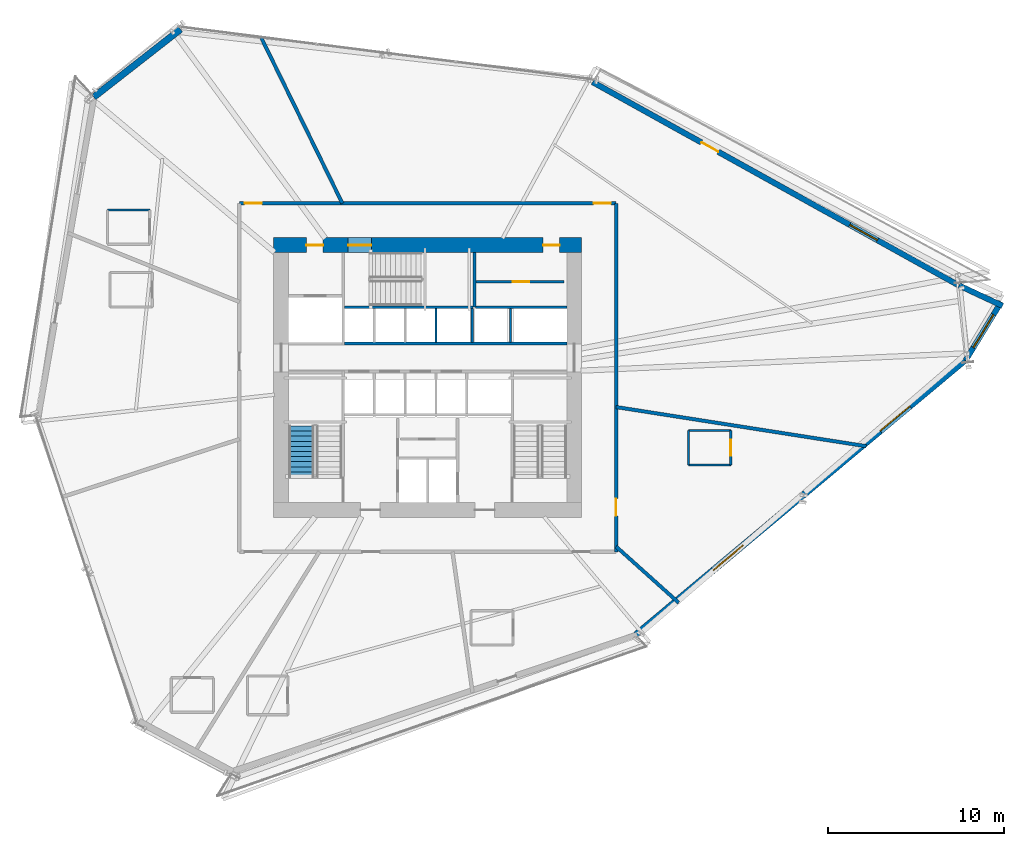
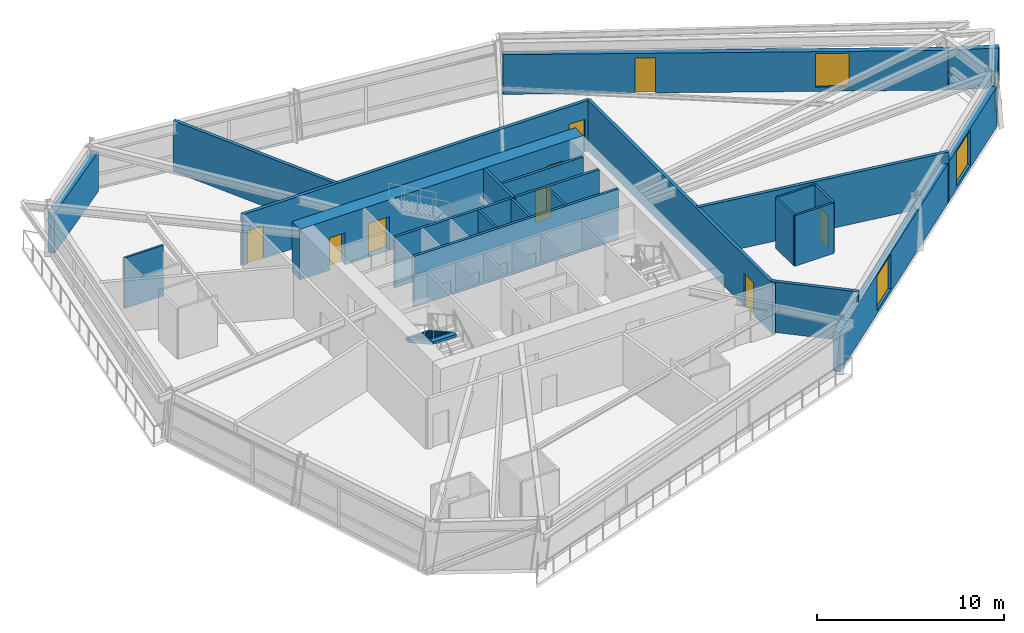
# One storey, part 17 of 22: 24 walls, 9 doors, 4 windows, 1 stair flight, 13 openings, 1 element without a shape of its own.
"""IFC4 building model written with IfcOpenShell, lengths in metres."""

from ifc_helpers import new_model, si_unit, direction, frame, frame_2d, origin, place, context, subcontext, project, spatial, polyline, rectangle, outline, extrude, source, transform, mapped, material, layer, layer_set, type_object, type_shapes, element, fill, aggregate, save


model = new_model("IFC4")

# Units and contexts
model_context = context("Model", 3, precision=1e-05, world=origin(), true_north=direction((0.0, 1.0)))
body_context = subcontext(model_context, "Body", "Model", "MODEL_VIEW")
ifc_project = project(units=[si_unit("LENGTHUNIT", "METRE"), si_unit("AREAUNIT", "SQUARE_METRE"), si_unit("VOLUMEUNIT", "CUBIC_METRE"), si_unit("PLANEANGLEUNIT", "RADIAN"), si_unit("MASSUNIT", "GRAM", prefix="KILO")], contexts=[model_context])

# Site, building, storey
site_placement = place(None, origin())
site = spatial("IfcSite", under=ifc_project, at=site_placement, CompositionType="ELEMENT")
building_placement = place(site_placement, origin())
building = spatial("IfcBuilding", under=site, at=building_placement, Name="Olszyna Solenne Hotel", CompositionType="ELEMENT")
storey_placement = place(building_placement, frame((0.0, 0.0, 57.699951171875)))
storey = spatial("IfcBuildingStorey", under=building, at=storey_placement, Name="L14", CompositionType="ELEMENT", Elevation=57.699951171875)

# Wall, openings, doors
ifc_material_1 = material(Name="Concrete C60/75", Category="concrete")
ifc_layer_1 = layer(ifc_material_1, 0.85009765625, Name="Concrete C60/75")
ifc_layer_set_1 = layer_set([ifc_layer_1], Name="Concrete C60/75")
wall_type_1 = type_object("IfcWallType", Name="WL-CR850", PredefinedType="SHEAR", material=ifc_layer_set_1)
wall_1_placement = place(storey_placement, frame((29.25, 34.125, 0.0), z_axis=(0.0, 0.0, 1.0), x_axis=(1.0, 0.0, 0.0)))
wall_1 = element("IfcWall", 1, at=wall_1_placement, inside=storey, type_object=wall_type_1, Name="Core shear wall WL-CR850 CRW-L14-N", PredefinedType="SHEAR", context=body_context, shape_type="SweptSolid", body=[
    extrude(rectangle(XDim=17.5, YDim=0.85009765625, at=frame_2d((8.75, 0.0))), origin(), (0.0, 0.0, 1.0), 3.300048828125),
])
opening_1_placement = place(wall_1_placement, frame((1.85009765625, 0.0, 0.0)))
opening_1 = element("IfcOpeningElement", 2, at=opening_1_placement, cuts=wall_1, Name="Opening SVD-L14-01", PredefinedType="OPENING", context=body_context, shape_type="SweptSolid", body=[
    extrude(rectangle(XDim=0.949951171875, YDim=2.10009765625, at=frame_2d((0.47509765625, 1.050048828125))), frame((0.0, 0.43505859375, 0.0), z_axis=(0.0, -1.0, 0.0), x_axis=(1.0, 0.0, 0.0)), (0.0, 0.0, 1.0), 0.8701171875),
])
opening_2_placement = place(wall_1_placement, frame((4.22998046875, 0.0, 0.0)))
opening_2 = element("IfcOpeningElement", 3, at=opening_2_placement, cuts=wall_1, Name="Opening STD-L14-03", PredefinedType="OPENING", context=body_context, shape_type="SweptSolid", body=[
    extrude(rectangle(XDim=1.320068359375, YDim=2.199951171875, at=frame_2d((0.66015625, 1.10009765625))), frame((0.0, 0.43505859375, 0.0), z_axis=(0.0, -1.0, 0.0), x_axis=(1.0, 0.0, 0.0)), (0.0, 0.0, 1.0), 0.8701171875),
])
opening_3_placement = place(wall_1_placement, frame((15.300048828125, 0.0, 0.0)))
opening_3 = element("IfcOpeningElement", 4, at=opening_3_placement, cuts=wall_1, Name="Opening SVD-L14-BN", PredefinedType="OPENING", context=body_context, shape_type="SweptSolid", body=[
    extrude(rectangle(XDim=0.949951171875, YDim=2.10009765625, at=frame_2d((0.47509765625, 1.050048828125))), frame((0.0, 0.43505859375, 0.0), z_axis=(0.0, -1.0, 0.0), x_axis=(1.0, 0.0, 0.0)), (0.0, 0.0, 1.0), 0.8701171875),
])
ifc_material_2 = material(Name="Steel S355J2", Category="steel")
door_type_1 = type_object("IfcDoorType", Name="DR-ST1", OperationType="NOTDEFINED", PredefinedType="DOOR", material=ifc_material_2)
shared_shape_1 = source(origin(), body_context, "Body", "SweptSolid", [
    extrude(rectangle(XDim=1.320068359375, YDim=2.199951171875, at=frame_2d((0.66015625, 1.10009765625))), frame((0.0, 0.02490234375, 0.0), z_axis=(0.0, -1.0, 0.0), x_axis=(1.0, 0.0, 0.0)), (0.0, 0.0, 1.0), 0.050048828125),
])
type_shapes(door_type_1, [shared_shape_1])
door_1_placement = place(opening_2_placement, origin())
door_1 = element("IfcDoor", 5, at=door_1_placement, inside=storey, type_object=door_type_1, Name="Pressurised exit stair ST3 fire door STD-L14-03", OperationType="SINGLE_SWING_RIGHT", OverallHeight=2.199951171875, OverallWidth=1.320068359375, PredefinedType="DOOR", context=body_context, shape_type="MappedRepresentation", body=[
    mapped(shared_shape_1, transform((0.0, 0.0, 0.0), x_axis=(1.0, 0.0, 0.0), y_axis=(0.0, 1.0, 0.0), z_axis=(0.0, 0.0, 1.0), scale=1.0)),
])
fill(opening_2, door_1)
door_type_2 = type_object("IfcDoorType", Name="DR-SV1", OperationType="NOTDEFINED", PredefinedType="DOOR", material=ifc_material_2)
shared_shape_2 = source(origin(), body_context, "Body", "SweptSolid", [
    extrude(rectangle(XDim=0.949951171875, YDim=2.10009765625, at=frame_2d((0.47509765625, 1.050048828125))), frame((0.0, 0.02490234375, 0.0), z_axis=(0.0, -1.0, 0.0), x_axis=(1.0, 0.0, 0.0)), (0.0, 0.0, 1.0), 0.050048828125),
])
type_shapes(door_type_2, [shared_shape_2])
door_2_placement = place(opening_1_placement, origin())
door_2 = element("IfcDoor", 6, at=door_2_placement, inside=storey, type_object=door_type_2, Name="Service lift lobby fire door SVD-L14-01", OperationType="SINGLE_SWING_LEFT", OverallHeight=2.10009765625, OverallWidth=0.949951171875, PredefinedType="DOOR", context=body_context, shape_type="MappedRepresentation", body=[
    mapped(shared_shape_2, transform((0.0, 0.0, 0.0), x_axis=(1.0, 0.0, 0.0), y_axis=(0.0, 1.0, 0.0), z_axis=(0.0, 0.0, 1.0), scale=1.0)),
])
fill(opening_1, door_2)
door_3_placement = place(opening_3_placement, origin())
door_3 = element("IfcDoor", 7, at=door_3_placement, inside=storey, type_object=door_type_2, Name="Housekeeping core fire door SVD-L14-BN", OperationType="SINGLE_SWING_LEFT", OverallHeight=2.10009765625, OverallWidth=0.949951171875, PredefinedType="DOOR", context=body_context, shape_type="MappedRepresentation", body=[
    mapped(shared_shape_2, transform((0.0, 0.0, 0.0), x_axis=(1.0, 0.0, 0.0), y_axis=(0.0, 1.0, 0.0), z_axis=(0.0, 0.0, 1.0), scale=1.0)),
])
fill(opening_3, door_3)

# Wall, openings, door, window
ifc_material_3 = material(Name="Precast concrete C45/55", Category="concrete")
ifc_layer_2 = layer(ifc_material_3, 0.320068359375, Name="Precast concrete C45/55")
ifc_layer_set_2 = layer_set([ifc_layer_2], Name="Precast concrete C45/55")
wall_type_2 = type_object("IfcWallType", Name="WL-EX320", PredefinedType="SOLIDWALL", material=ifc_layer_set_2)
wall_2_placement = place(storey_placement, frame((47.368896484375, 43.3916015625, 0.0), z_axis=(0.0, 0.0, 1.0), x_axis=(0.874309158842, -0.485369441524, 0.0)))
wall_2 = element("IfcWall", 8, at=wall_2_placement, inside=storey, type_object=wall_type_2, Name="Exterior terracotta-precast frame wall WL-EX320 EW-L14-07", PredefinedType="SOLIDWALL", context=body_context, shape_type="SweptSolid", body=[
    extrude(rectangle(XDim=23.801513671875, YDim=0.320068359375, at=frame_2d((11.90087890625, 0.0))), origin(), (0.0, 0.0, 1.0), 2.592041015625),
])
opening_4_placement = place(wall_2_placement, frame((7.06591796875, 0.0, 0.0)))
opening_4 = element("IfcOpeningElement", 9, at=opening_4_placement, cuts=wall_2, Name="Opening LDG-L14-1", PredefinedType="OPENING", context=body_context, shape_type="SweptSolid", body=[
    extrude(rectangle(XDim=1.10009765625, YDim=2.300048828125, at=frame_2d((0.550048828125, 1.14990234375))), frame((0.0, 0.169921875, 0.0), z_axis=(0.0, -1.0, 0.0), x_axis=(1.0, 0.0, 0.0)), (0.0, 0.0, 1.0), 0.340087890625),
])
opening_5_placement = place(wall_2_placement, frame((16.712890625, 0.0, 0.27197265625)))
opening_5 = element("IfcOpeningElement", 10, at=opening_5_placement, cuts=wall_2, Name="Opening WN-L14-064", PredefinedType="OPENING", context=body_context, shape_type="SweptSolid", body=[
    extrude(rectangle(XDim=1.800048828125, YDim=2.199951171875, at=frame_2d((0.89990234375, 1.10009765625))), frame((0.0, 0.169921875, 0.0), z_axis=(0.0, -1.0, 0.0), x_axis=(1.0, 0.0, 0.0)), (0.0, 0.0, 1.0), 0.340087890625),
])
ifc_material_4 = material(Name="Anodised bronze aluminium", Category="aluminium")
door_type_3 = type_object("IfcDoorType", Name="DR-LG1", OperationType="NOTDEFINED", PredefinedType="DOOR", material=ifc_material_4)
shared_shape_3 = source(origin(), body_context, "Body", "SweptSolid", [
    extrude(rectangle(XDim=1.10009765625, YDim=2.300048828125, at=frame_2d((0.550048828125, 1.14990234375))), frame((0.0, 0.02490234375, 0.0), z_axis=(0.0, -1.0, 0.0), x_axis=(1.0, 0.0, 0.0)), (0.0, 0.0, 1.0), 0.050048828125),
])
type_shapes(door_type_3, [shared_shape_3])
door_4_placement = place(opening_4_placement, origin())
door_4 = element("IfcDoor", 11, at=door_4_placement, inside=storey, type_object=door_type_3, Name="Exterior loggia balcony door DR-LG1 LDG-L14-1", OperationType="SINGLE_SWING_RIGHT", OverallHeight=2.300048828125, OverallWidth=1.10009765625, PredefinedType="DOOR", context=body_context, shape_type="MappedRepresentation", body=[
    mapped(shared_shape_3, transform((0.0, 0.0, 0.0), x_axis=(1.0, 0.0, 0.0), y_axis=(0.0, 1.0, 0.0), z_axis=(0.0, 0.0, 1.0), scale=1.0)),
])
fill(opening_4, door_4)
ifc_material_5 = material(Name="Low-E triple glazing", Category="glass")
window_type_1 = type_object("IfcWindowType", Name="WN-HT1", PartitioningType="SINGLE_PANEL", PredefinedType="WINDOW", material=ifc_material_5)
shared_shape_4 = source(origin(), body_context, "Body", "SweptSolid", [
    extrude(rectangle(XDim=1.800048828125, YDim=2.199951171875, at=frame_2d((0.89990234375, 1.10009765625))), frame((0.0, 0.030029296875, 0.0), z_axis=(0.0, -1.0, 0.0), x_axis=(1.0, 0.0, 0.0)), (0.0, 0.0, 1.0), 0.06005859375),
])
type_shapes(window_type_1, [shared_shape_4])
window_1_placement = place(opening_5_placement, origin())
window_1 = element("IfcWindow", 12, at=window_1_placement, inside=storey, type_object=window_type_1, Name="Loggia room window WN-HT1 WN-L14-064", OverallHeight=2.199951171875, OverallWidth=1.800048828125, PartitioningType="SINGLE_PANEL", PredefinedType="WINDOW", context=body_context, shape_type="MappedRepresentation", body=[
    mapped(shared_shape_4, transform((0.0, 0.0, 0.0), x_axis=(1.0, 0.0, 0.0), y_axis=(0.0, 1.0, 0.0), z_axis=(0.0, 0.0, 1.0), scale=1.0)),
])
fill(opening_5, window_1)

# Wall
wall_3_placement = place(storey_placement, frame((68.1884765625, 31.833984375, 0.0), z_axis=(0.0, 0.0, 1.0), x_axis=(0.905643487547, -0.424039943241, 0.0)))
element("IfcWall", 13, at=wall_3_placement, inside=storey, type_object=wall_type_2, Name="Exterior terracotta-precast frame wall WL-EX320 EW-L14-08", PredefinedType="SOLIDWALL", context=body_context, shape_type="SweptSolid", body=[
    extrude(rectangle(XDim=2.7314453125, YDim=0.320068359375, at=frame_2d((1.36572265625, 0.0))), origin(), (0.0, 0.0, 1.0), 2.592041015625),
])

# Wall, opening, window
wall_4_placement = place(storey_placement, frame((70.593505859375, 30.904052734375, 0.0), z_axis=(0.0, 0.0, 1.0), x_axis=(-0.52098264261, -0.853567270986, 0.0)))
wall_4 = element("IfcWall", 14, at=wall_4_placement, inside=storey, type_object=wall_type_2, Name="Exterior terracotta-precast frame wall WL-EX320 EW-L14-09", PredefinedType="SOLIDWALL", context=body_context, shape_type="SweptSolid", body=[
    extrude(rectangle(XDim=3.90966796875, YDim=0.320068359375, at=frame_2d((1.954833984375, 0.0))), origin(), (0.0, 0.0, 1.0), 2.592041015625),
])
opening_6_placement = place(wall_4_placement, frame((0.85498046875, 0.0, 0.221923828125)))
opening_6 = element("IfcOpeningElement", 15, at=opening_6_placement, cuts=wall_4, Name="Opening WN-L14-065", PredefinedType="OPENING", context=body_context, shape_type="SweptSolid", body=[
    extrude(rectangle(XDim=2.199951171875, YDim=2.25, at=frame_2d((1.10009765625, 1.125))), frame((0.0, 0.169921875, 0.0), z_axis=(0.0, -1.0, 0.0), x_axis=(1.0, 0.0, 0.0)), (0.0, 0.0, 1.0), 0.340087890625),
])
window_type_2 = type_object("IfcWindowType", Name="WN-HT2", PartitioningType="SINGLE_PANEL", PredefinedType="WINDOW", material=ifc_material_5)
shared_shape_5 = source(origin(), body_context, "Body", "SweptSolid", [
    extrude(rectangle(XDim=2.199951171875, YDim=2.25, at=frame_2d((1.10009765625, 1.125))), frame((0.0, 0.030029296875, 0.0), z_axis=(0.0, -1.0, 0.0), x_axis=(1.0, 0.0, 0.0)), (0.0, 0.0, 1.0), 0.06005859375),
])
type_shapes(window_type_2, [shared_shape_5])
window_2_placement = place(opening_6_placement, origin())
window_2 = element("IfcWindow", 16, at=window_2_placement, inside=storey, type_object=window_type_2, Name="Exterior facade window WN-HT2 WN-L14-065", OverallHeight=2.25, OverallWidth=2.199951171875, PartitioningType="SINGLE_PANEL", PredefinedType="WINDOW", context=body_context, shape_type="MappedRepresentation", body=[
    mapped(shared_shape_5, transform((0.0, 0.0, 0.0), x_axis=(1.0, 0.0, 0.0), y_axis=(0.0, 1.0, 0.0), z_axis=(0.0, 0.0, 1.0), scale=1.0)),
])
fill(opening_6, window_2)

# Wall
ifc_material_6 = material(Name="Terracotta cladding on precast concrete C45/55", Category="masonry")
ifc_layer_3 = layer(ifc_material_6, 0.3798828125, Name="Terracotta cladding on precast concrete C45/55")
ifc_layer_set_3 = layer_set([ifc_layer_3], Name="Terracotta cladding on precast concrete C45/55")
wall_type_3 = type_object("IfcWallType", Name="WL-EX380", PredefinedType="SOLIDWALL", material=ifc_layer_set_3)
wall_5_placement = place(storey_placement, frame((19.02001953125, 42.533935546875, 0.0), z_axis=(0.0, 0.0, 1.0), x_axis=(0.787974703517, 0.615707614552, 0.0)))
element("IfcWall", 17, at=wall_5_placement, inside=storey, type_object=wall_type_3, Name="Exterior terracotta-precast frame wall WL-EX380 EW-L14-05", PredefinedType="SOLIDWALL", context=body_context, shape_type="SweptSolid", body=[
    extrude(rectangle(XDim=6.259765625, YDim=0.3798828125, at=frame_2d((3.1298828125, 0.0))), origin(), (0.0, 0.0, 1.0), 2.592041015625),
])

# Wall, openings, windows
wall_6_placement = place(storey_placement, frame((68.5712890625, 27.62939453125, 0.0), z_axis=(0.0, 0.0, 1.0), x_axis=(-0.767601375753, -0.640927552803, 0.0)))
wall_6 = element("IfcWall", 18, at=wall_6_placement, inside=storey, type_object=wall_type_3, Name="Exterior terracotta-precast frame wall WL-EX380 EW-L14-10", PredefinedType="SOLIDWALL", context=body_context, shape_type="SweptSolid", body=[
    extrude(rectangle(XDim=24.419189453125, YDim=0.3798828125, at=frame_2d((12.20947265625, 0.0))), origin(), (0.0, 0.0, 1.0), 2.592041015625),
])
opening_7_placement = place(wall_6_placement, frame((4.136962890625, 0.0, 0.221923828125)))
opening_7 = element("IfcOpeningElement", 19, at=opening_7_placement, cuts=wall_6, Name="Opening WN-L14-066", PredefinedType="OPENING", context=body_context, shape_type="SweptSolid", body=[
    extrude(rectangle(XDim=2.199951171875, YDim=2.25, at=frame_2d((1.10009765625, 1.125))), frame((0.0, 0.199951171875, 0.0), z_axis=(0.0, -1.0, 0.0), x_axis=(1.0, 0.0, 0.0)), (0.0, 0.0, 1.0), 0.39990234375),
])
opening_8_placement = place(wall_6_placement, frame((16.48193359375, 0.0, 0.221923828125)))
opening_8 = element("IfcOpeningElement", 20, at=opening_8_placement, cuts=wall_6, Name="Opening WN-L14-067", PredefinedType="OPENING", context=body_context, shape_type="SweptSolid", body=[
    extrude(rectangle(XDim=2.199951171875, YDim=2.25, at=frame_2d((1.10009765625, 1.125))), frame((0.0, 0.199951171875, 0.0), z_axis=(0.0, -1.0, 0.0), x_axis=(1.0, 0.0, 0.0)), (0.0, 0.0, 1.0), 0.39990234375),
])
window_3_placement = place(opening_7_placement, origin())
window_3 = element("IfcWindow", 21, at=window_3_placement, inside=storey, type_object=window_type_2, Name="Exterior facade window WN-HT2 WN-L14-066", OverallHeight=2.25, OverallWidth=2.199951171875, PartitioningType="SINGLE_PANEL", PredefinedType="WINDOW", context=body_context, shape_type="MappedRepresentation", body=[
    mapped(shared_shape_5, transform((0.0, 0.0, 0.0), x_axis=(1.0, 0.0, 0.0), y_axis=(0.0, 1.0, 0.0), z_axis=(0.0, 0.0, 1.0), scale=1.0)),
])
fill(opening_7, window_3)
window_4_placement = place(opening_8_placement, origin())
window_4 = element("IfcWindow", 22, at=window_4_placement, inside=storey, type_object=window_type_2, Name="Exterior facade window WN-HT2 WN-L14-067", OverallHeight=2.25, OverallWidth=2.199951171875, PartitioningType="SINGLE_PANEL", PredefinedType="WINDOW", context=body_context, shape_type="MappedRepresentation", body=[
    mapped(shared_shape_5, transform((0.0, 0.0, 0.0), x_axis=(1.0, 0.0, 0.0), y_axis=(0.0, 1.0, 0.0), z_axis=(0.0, 0.0, 1.0), scale=1.0)),
])
fill(opening_8, window_4)

# Walls
ifc_material_7 = material(Name="Acoustic gypsum partition", Category="gypsum")
ifc_layer_4 = layer(ifc_material_7, 0.125, Name="Acoustic gypsum partition")
ifc_layer_set_4 = layer_set([ifc_layer_4], Name="Acoustic gypsum partition")
wall_type_4 = type_object("IfcWallType", Name="WL-PT125", PredefinedType="PARTITIONING", material=ifc_layer_set_4)
for number, where, z_axis, x_axis, name in (
    (23, (38.465087890625, 28.60009765625, 0.0), (0.0, 0.0, 1.0), (0.0, 1.0, 0.0), "Core shaft compartment wall CW-L14-DIVN384"),
    (24, (40.52490234375, 28.60009765625, 0.0), (0.0, 0.0, 1.0), (0.0, 1.0, 0.0), "Core shaft compartment wall CW-L14-DIVEX405"),
    (25, (42.699951171875, 28.60009765625, 0.0), (0.0, 0.0, 1.0), (0.0, 1.0, 0.0), "Core shaft compartment wall CW-L14-DIVEX427"),
):
    element("IfcWall", number, at=place(storey_placement, frame(where, z_axis=z_axis, x_axis=x_axis)), inside=storey, type_object=wall_type_4, Name=name, PredefinedType="PARTITIONING", context=body_context, shape_type="SweptSolid", body=[
        extrude(rectangle(XDim=1.919921875, YDim=0.125, at=frame_2d((0.9599609375, 0.0))), origin(), (0.0, 0.0, 1.0), 3.300048828125),
    ])
wall_7_placement = place(storey_placement, frame((22.2060546875, 36.1259765625, 0.0), z_axis=(0.0, 0.0, 1.0), x_axis=(-1.0, 0.0, 0.0)))
element("IfcWall", 26, at=wall_7_placement, inside=storey, type_object=wall_type_4, Name="Interior acoustic partition WL-PT125 PW-L14-0780", PredefinedType="PARTITIONING", context=body_context, shape_type="SweptSolid", body=[
    extrude(rectangle(XDim=2.400146484375, YDim=0.125, at=frame_2d((1.2001953125, 0.0))), origin(), (0.0, 0.0, 1.0), 3.300048828125),
])

# Wall, opening, door
wall_8_placement = place(storey_placement, frame((55.220947265625, 21.634033203125, 0.0), z_axis=(0.0, 0.0, 1.0), x_axis=(0.0, 1.0, 0.0)))
wall_8 = element("IfcWall", 27, at=wall_8_placement, inside=storey, type_object=wall_type_4, Name="Interior acoustic partition WL-PT125 PW-L14-0799", PredefinedType="PARTITIONING", context=body_context, shape_type="SweptSolid", body=[
    extrude(rectangle(XDim=1.949951171875, YDim=0.125, at=frame_2d((0.97509765625, 0.0))), origin(), (0.0, 0.0, 1.0), 3.300048828125),
])
opening_9_placement = place(wall_8_placement, frame((0.52490234375, 0.0, 0.0)))
opening_9 = element("IfcOpeningElement", 28, at=opening_9_placement, cuts=wall_8, Name="Opening DR-L14-0176", PredefinedType="OPENING", context=body_context, shape_type="SweptSolid", body=[
    extrude(rectangle(XDim=0.89990234375, YDim=2.10009765625, at=frame_2d((0.449951171875, 1.050048828125))), frame((0.0, 0.072509765625, 0.0), z_axis=(0.0, -1.0, 0.0), x_axis=(1.0, 0.0, 0.0)), (0.0, 0.0, 1.0), 0.14501953125),
])
ifc_material_8 = material(Name="Timber hardwood", Category="wood")
door_type_4 = type_object("IfcDoorType", Name="DR-WC1", OperationType="NOTDEFINED", PredefinedType="DOOR", material=ifc_material_8)
shared_shape_6 = source(origin(), body_context, "Body", "SweptSolid", [
    extrude(rectangle(XDim=0.89990234375, YDim=2.10009765625, at=frame_2d((0.449951171875, 1.050048828125))), frame((0.0, 0.02490234375, 0.0), z_axis=(0.0, -1.0, 0.0), x_axis=(1.0, 0.0, 0.0)), (0.0, 0.0, 1.0), 0.050048828125),
])
type_shapes(door_type_4, [shared_shape_6])
door_5_placement = place(opening_9_placement, origin())
door_5 = element("IfcDoor", 29, at=door_5_placement, inside=storey, type_object=door_type_4, Name="En-Suite Bathroom Door DR-L14-0176", OperationType="SINGLE_SWING_LEFT", OverallHeight=2.10009765625, OverallWidth=0.89990234375, PredefinedType="DOOR", context=body_context, shape_type="MappedRepresentation", body=[
    mapped(shared_shape_6, transform((0.0, 0.0, 0.0), x_axis=(1.0, 0.0, 0.0), y_axis=(0.0, 1.0, 0.0), z_axis=(0.0, 0.0, 1.0), scale=1.0)),
])
fill(opening_9, door_5)

# Walls
wall_9_placement = place(storey_placement, frame((55.220947265625, 23.583984375, 0.0), z_axis=(0.0, 0.0, 1.0), x_axis=(-1.0, 0.0, 0.0)))
element("IfcWall", 30, at=wall_9_placement, inside=storey, type_object=wall_type_4, Name="Interior acoustic partition WL-PT125 PW-L14-0800", PredefinedType="PARTITIONING", context=body_context, shape_type="SweptSolid", body=[
    extrude(rectangle(XDim=2.39990234375, YDim=0.125, at=frame_2d((1.199951171875, 0.0))), origin(), (0.0, 0.0, 1.0), 3.300048828125),
])
wall_10_placement = place(storey_placement, frame((52.821044921875, 23.583984375, 0.0), z_axis=(0.0, 0.0, 1.0), x_axis=(0.0, -1.0, 0.0)))
element("IfcWall", 31, at=wall_10_placement, inside=storey, type_object=wall_type_4, Name="Interior acoustic partition WL-PT125 PW-L14-0801", PredefinedType="PARTITIONING", context=body_context, shape_type="SweptSolid", body=[
    extrude(rectangle(XDim=1.949951171875, YDim=0.125, at=frame_2d((0.97509765625, 0.0))), origin(), (0.0, 0.0, 1.0), 3.300048828125),
])
wall_11_placement = place(storey_placement, frame((52.821044921875, 21.634033203125, 0.0), z_axis=(0.0, 0.0, 1.0), x_axis=(1.0, 0.0, 0.0)))
element("IfcWall", 32, at=wall_11_placement, inside=storey, type_object=wall_type_4, Name="Interior acoustic partition WL-PT125 PW-L14-0802", PredefinedType="PARTITIONING", context=body_context, shape_type="SweptSolid", body=[
    extrude(rectangle(XDim=2.39990234375, YDim=0.125, at=frame_2d((1.199951171875, 0.0))), origin(), (0.0, 0.0, 1.0), 3.300048828125),
])
ifc_layer_5 = layer(ifc_material_7, 0.159912109375, Name="Acoustic gypsum partition")
ifc_layer_set_5 = layer_set([ifc_layer_5], Name="Acoustic gypsum partition")
wall_type_5 = type_object("IfcWallType", Name="WL-PT160", PredefinedType="PARTITIONING", material=ifc_layer_set_5)
wall_12_placement = place(storey_placement, frame((33.280029296875, 30.60009765625, 0.0), z_axis=(0.0, 0.0, 1.0), x_axis=(1.0, 0.0, 0.0)))
element("IfcWall", 33, at=wall_12_placement, inside=storey, type_object=wall_type_5, Name="Core shaft compartment wall CW-L14-ST3S", PredefinedType="PARTITIONING", context=body_context, shape_type="SweptSolid", body=[
    extrude(rectangle(XDim=7.300048828125, YDim=0.159912109375, at=frame_2d((3.64990234375, 0.0))), origin(), (0.0, 0.0, 1.0), 3.300048828125),
])
wall_13_placement = place(storey_placement, frame((40.659912109375, 30.60009765625, 0.0), z_axis=(0.0, 0.0, 1.0), x_axis=(0.0, 1.0, 0.0)))
element("IfcWall", 34, at=wall_13_placement, inside=storey, type_object=wall_type_5, Name="Core shaft compartment wall CW-L14-ST3E", PredefinedType="PARTITIONING", context=body_context, shape_type="SweptSolid", body=[
    extrude(rectangle(XDim=3.099853515625, YDim=0.159912109375, at=frame_2d((1.5498046875, 0.0))), origin(), (0.0, 0.0, 1.0), 3.300048828125),
])
wall_14_placement = place(storey_placement, frame((33.280029296875, 28.5400390625, 0.0), z_axis=(0.0, 0.0, 1.0), x_axis=(1.0, 0.0, 0.0)))
element("IfcWall", 35, at=wall_14_placement, inside=storey, type_object=wall_type_5, Name="Core shaft compartment wall CW-L14-LRN", PredefinedType="PARTITIONING", context=body_context, shape_type="SweptSolid", body=[
    extrude(rectangle(XDim=12.619873046875, YDim=0.159912109375, at=frame_2d((6.31005859375, 0.0))), origin(), (0.0, 0.0, 1.0), 3.300048828125),
])
wall_15_placement = place(storey_placement, frame((40.719970703125, 30.60009765625, 0.0), z_axis=(0.0, 0.0, 1.0), x_axis=(1.0, 0.0, 0.0)))
element("IfcWall", 36, at=wall_15_placement, inside=storey, type_object=wall_type_5, Name="Core shaft compartment wall CW-L14-LRNTOP", PredefinedType="PARTITIONING", context=body_context, shape_type="SweptSolid", body=[
    extrude(rectangle(XDim=5.179931640625, YDim=0.159912109375, at=frame_2d((2.58984375, 0.0))), origin(), (0.0, 0.0, 1.0), 3.300048828125),
])

# Wall, opening, door
wall_16_placement = place(storey_placement, frame((40.719970703125, 32.0458984375, 0.0), z_axis=(0.0, 0.0, 1.0), x_axis=(1.0, 0.0, 0.0)))
wall_16 = element("IfcWall", 37, at=wall_16_placement, inside=storey, type_object=wall_type_5, Name="Core shaft compartment wall CW-L14-BOH2", PredefinedType="PARTITIONING", context=body_context, shape_type="SweptSolid", body=[
    extrude(rectangle(XDim=5.030029296875, YDim=0.159912109375, at=frame_2d((2.51513671875, 0.0))), origin(), (0.0, 0.0, 1.0), 3.300048828125),
])
opening_10_placement = place(wall_16_placement, frame((2.10009765625, 0.0, 0.0)))
opening_10 = element("IfcOpeningElement", 38, at=opening_10_placement, cuts=wall_16, Name="Opening SVD-L14-BI2", PredefinedType="OPENING", context=body_context, shape_type="SweptSolid", body=[
    extrude(rectangle(XDim=0.949951171875, YDim=2.10009765625, at=frame_2d((0.47509765625, 1.050048828125))), frame((0.0, 0.08984375, 0.0), z_axis=(0.0, -1.0, 0.0), x_axis=(1.0, 0.0, 0.0)), (0.0, 0.0, 1.0), 0.179931640625),
])
door_6_placement = place(opening_10_placement, origin())
door_6 = element("IfcDoor", 39, at=door_6_placement, inside=storey, type_object=door_type_2, Name="BOH inter-room fire door SVD-L14-BI2", OperationType="SINGLE_SWING_RIGHT", OverallHeight=2.10009765625, OverallWidth=0.949951171875, PredefinedType="DOOR", context=body_context, shape_type="MappedRepresentation", body=[
    mapped(shared_shape_2, transform((0.0, 0.0, 0.0), x_axis=(1.0, 0.0, 0.0), y_axis=(0.0, 1.0, 0.0), z_axis=(0.0, 0.0, 1.0), scale=1.0)),
])
fill(opening_10, door_6)

# Walls
ifc_layer_6 = layer(ifc_material_7, 0.199951171875, Name="Acoustic gypsum partition")
ifc_layer_set_6 = layer_set([ifc_layer_6], Name="Acoustic gypsum partition")
wall_type_6 = type_object("IfcWallType", Name="WL-PT200", PredefinedType="PARTITIONING", material=ifc_layer_set_6)
wall_17_placement = place(storey_placement, frame((48.699951171875, 24.92431640625, 0.0), z_axis=(0.0, 0.0, 1.0), x_axis=(0.98796232497, -0.154694681358, 0.0)))
element("IfcWall", 40, at=wall_17_placement, inside=storey, type_object=wall_type_6, Name="Interior acoustic partition WL-PT200 PW-L14-0772", PredefinedType="PARTITIONING", context=body_context, shape_type="SweptSolid", body=[
    extrude(rectangle(XDim=14.388427734375, YDim=0.199951171875, at=frame_2d((7.1943359375, 0.0))), origin(), (0.0, 0.0, 1.0), 3.300048828125),
])
wall_18_placement = place(storey_placement, frame((33.14990234375, 36.5, 0.0), z_axis=(0.0, 0.0, 1.0), x_axis=(-0.439918845191, 0.898037532426, 0.0)))
element("IfcWall", 41, at=wall_18_placement, inside=storey, type_object=wall_type_6, Name="Interior acoustic partition WL-PT200 PW-L14-0773", PredefinedType="PARTITIONING", context=body_context, shape_type="SweptSolid", body=[
    extrude(rectangle(XDim=10.4765625, YDim=0.199951171875, at=frame_2d((5.23828125, 0.0))), origin(), (0.0, 0.0, 1.0), 3.300048828125),
])
wall_19_placement = place(storey_placement, frame((48.699951171875, 16.99951171875, 0.0), z_axis=(0.0, 0.0, 1.0), x_axis=(0.744305347835, -0.667839463632, 0.0)))
element("IfcWall", 42, at=wall_19_placement, inside=storey, type_object=wall_type_6, Name="Interior acoustic partition WL-PT200 PW-L14-0778", PredefinedType="PARTITIONING", context=body_context, shape_type="SweptSolid", body=[
    extrude(rectangle(XDim=4.7861328125, YDim=0.199951171875, at=frame_2d((2.39306640625, 0.0))), origin(), (0.0, 0.0, 1.0), 3.300048828125),
])

# Wall, openings, doors
wall_20_placement = place(storey_placement, frame((27.300048828125, 36.5, 0.0), z_axis=(0.0, 0.0, 1.0), x_axis=(1.0, 0.0, 0.0)))
wall_20 = element("IfcWall", 43, at=wall_20_placement, inside=storey, type_object=wall_type_6, Name="Interior acoustic partition WL-PT200 PW-L14-0805", PredefinedType="PARTITIONING", context=body_context, shape_type="SweptSolid", body=[
    extrude(rectangle(XDim=21.39990234375, YDim=0.199951171875, at=frame_2d((10.699951171875, 0.0))), origin(), (0.0, 0.0, 1.0), 3.300048828125),
])
opening_11_placement = place(wall_20_placement, frame((20.1201171875, 0.0, 0.0)))
opening_11 = element("IfcOpeningElement", 44, at=opening_11_placement, cuts=wall_20, Name="Opening DR-L14-0181", PredefinedType="OPENING", context=body_context, shape_type="SweptSolid", body=[
    extrude(rectangle(XDim=0.97998046875, YDim=2.14990234375, at=frame_2d((0.489990234375, 1.074951171875))), frame((0.0, 0.10986328125, 0.0), z_axis=(0.0, -1.0, 0.0), x_axis=(1.0, 0.0, 0.0)), (0.0, 0.0, 1.0), 0.219970703125),
])
opening_12_placement = place(wall_20_placement, frame((0.300048828125, 0.0, 0.0)))
opening_12 = element("IfcOpeningElement", 45, at=opening_12_placement, cuts=wall_20, Name="Opening DR-L14-0182", PredefinedType="OPENING", context=body_context, shape_type="SweptSolid", body=[
    extrude(rectangle(XDim=0.97998046875, YDim=2.14990234375, at=frame_2d((0.489990234375, 1.074951171875))), frame((0.0, 0.10986328125, 0.0), z_axis=(0.0, -1.0, 0.0), x_axis=(1.0, 0.0, 0.0)), (0.0, 0.0, 1.0), 0.219970703125),
])
door_type_5 = type_object("IfcDoorType", Name="DR-RM1", OperationType="NOTDEFINED", PredefinedType="DOOR", material=ifc_material_8)
shared_shape_7 = source(origin(), body_context, "Body", "SweptSolid", [
    extrude(rectangle(XDim=0.97998046875, YDim=2.14990234375, at=frame_2d((0.489990234375, 1.074951171875))), frame((0.0, 0.02490234375, 0.0), z_axis=(0.0, -1.0, 0.0), x_axis=(1.0, 0.0, 0.0)), (0.0, 0.0, 1.0), 0.050048828125),
])
type_shapes(door_type_5, [shared_shape_7])
door_7_placement = place(opening_11_placement, origin())
door_7 = element("IfcDoor", 46, at=door_7_placement, inside=storey, type_object=door_type_5, Name="Breakfast Tasting Salon Entrance Door DR-L14-0181", OperationType="SINGLE_SWING_LEFT", OverallHeight=2.14990234375, OverallWidth=0.97998046875, PredefinedType="DOOR", context=body_context, shape_type="MappedRepresentation", body=[
    mapped(shared_shape_7, transform((0.0, 0.0, 0.0), x_axis=(1.0, 0.0, 0.0), y_axis=(0.0, 1.0, 0.0), z_axis=(0.0, 0.0, 1.0), scale=1.0)),
])
fill(opening_11, door_7)
door_8_placement = place(opening_12_placement, origin())
door_8 = element("IfcDoor", 47, at=door_8_placement, inside=storey, type_object=door_type_5, Name="Deluxe Hotel Guestroom Entrance Door DR-L14-0182", OperationType="SINGLE_SWING_RIGHT", OverallHeight=2.14990234375, OverallWidth=0.97998046875, PredefinedType="DOOR", context=body_context, shape_type="MappedRepresentation", body=[
    mapped(shared_shape_7, transform((0.0, 0.0, 0.0), x_axis=(1.0, 0.0, 0.0), y_axis=(0.0, 1.0, 0.0), z_axis=(0.0, 0.0, 1.0), scale=1.0)),
])
fill(opening_12, door_8)

# Wall, opening, door
wall_21_placement = place(storey_placement, frame((48.699951171875, 16.699951171875, 0.0), z_axis=(0.0, 0.0, 1.0), x_axis=(0.0, 1.0, 0.0)))
wall_21 = element("IfcWall", 48, at=wall_21_placement, inside=storey, type_object=wall_type_6, Name="Interior acoustic partition WL-PT200 PW-L14-0806", PredefinedType="PARTITIONING", context=body_context, shape_type="SweptSolid", body=[
    extrude(rectangle(XDim=19.800048828125, YDim=0.199951171875, at=frame_2d((9.89990234375, 0.0))), origin(), (0.0, 0.0, 1.0), 3.300048828125),
])
opening_13_placement = place(wall_21_placement, frame((2.0419921875, 0.0, 0.0)))
opening_13 = element("IfcOpeningElement", 49, at=opening_13_placement, cuts=wall_21, Name="Opening DR-L14-0183", PredefinedType="OPENING", context=body_context, shape_type="SweptSolid", body=[
    extrude(rectangle(XDim=0.97998046875, YDim=2.14990234375, at=frame_2d((0.489990234375, 1.074951171875))), frame((0.0, 0.10986328125, 0.0), z_axis=(0.0, -1.0, 0.0), x_axis=(1.0, 0.0, 0.0)), (0.0, 0.0, 1.0), 0.219970703125),
])
door_9_placement = place(opening_13_placement, origin())
door_9 = element("IfcDoor", 50, at=door_9_placement, inside=storey, type_object=door_type_5, Name="Executive Reading Salon Entrance Door DR-L14-0183", OperationType="SINGLE_SWING_LEFT", OverallHeight=2.14990234375, OverallWidth=0.97998046875, PredefinedType="DOOR", context=body_context, shape_type="MappedRepresentation", body=[
    mapped(shared_shape_7, transform((0.0, 0.0, 0.0), x_axis=(1.0, 0.0, 0.0), y_axis=(0.0, 1.0, 0.0), z_axis=(0.0, 0.0, 1.0), scale=1.0)),
])
fill(opening_13, door_9)

# Stair, stair flight
ifc_material_9 = material(Name="Concrete C40/50", Category="concrete")
stair_type = type_object("IfcStairType", Name="STR-C1", PredefinedType="TWO_QUARTER_WINDING_STAIR", material=ifc_material_9)
stair_placement = place(storey_placement, origin())
stair = element("IfcStair", 51, at=stair_placement, inside=storey, type_object=stair_type, Name="L14 ST1", PredefinedType="TWO_QUARTER_WINDING_STAIR")
stair_flight_type = type_object("IfcStairFlightType", Name="FLT-C1", PredefinedType="STRAIGHT", material=ifc_material_9)
stair_flight_placement = place(storey_placement, frame((30.824951171875, 23.85009765625, 1.775146484375), z_axis=(0.0, 0.0, 1.0), x_axis=(0.0, -1.0, 0.0)))
stair_flight = element("IfcStairFlight", 52, at=stair_flight_placement, type_object=stair_flight_type, Name="ST1 flight 2", NumberOfRisers=11, NumberOfTreads=10, PredefinedType="STRAIGHT", RiserHeight=0.161363636, TreadLength=0.29, context=body_context, shape_type="SweptSolid", body=[
    extrude(outline(polyline([(0.0, 0.0), (0.0, 0.161376953125), (0.2900390625, 0.161376953125), (0.2900390625, 0.32275390625), (0.580078125, 0.32275390625), (0.580078125, 0.484130859375), (0.8701171875, 0.484130859375), (0.8701171875, 0.6455078125), (1.159912109375, 0.6455078125), (1.159912109375, 0.806884765625), (1.449951171875, 0.806884765625), (1.449951171875, 0.96826171875), (1.739990234375, 0.96826171875), (1.739990234375, 1.129638671875), (2.030029296875, 1.129638671875), (2.030029296875, 1.291015625), (2.320068359375, 1.291015625), (2.320068359375, 1.452392578125), (2.610107421875, 1.452392578125), (2.610107421875, 1.613525390625), (2.89990234375, 1.613525390625), (2.89990234375, 1.77490234375), (2.89990234375, 1.442138671875), (0.308349609375, 0.0), (0.0, 0.0)])), frame((0.0, 0.72509765625, 0.0), z_axis=(0.0, -1.0, 0.0), x_axis=(1.0, 0.0, 0.0)), (0.0, 0.0, 1.0), 1.449951171875),
])
aggregate(stair, [stair_flight])

save(model, "model.ifc")
